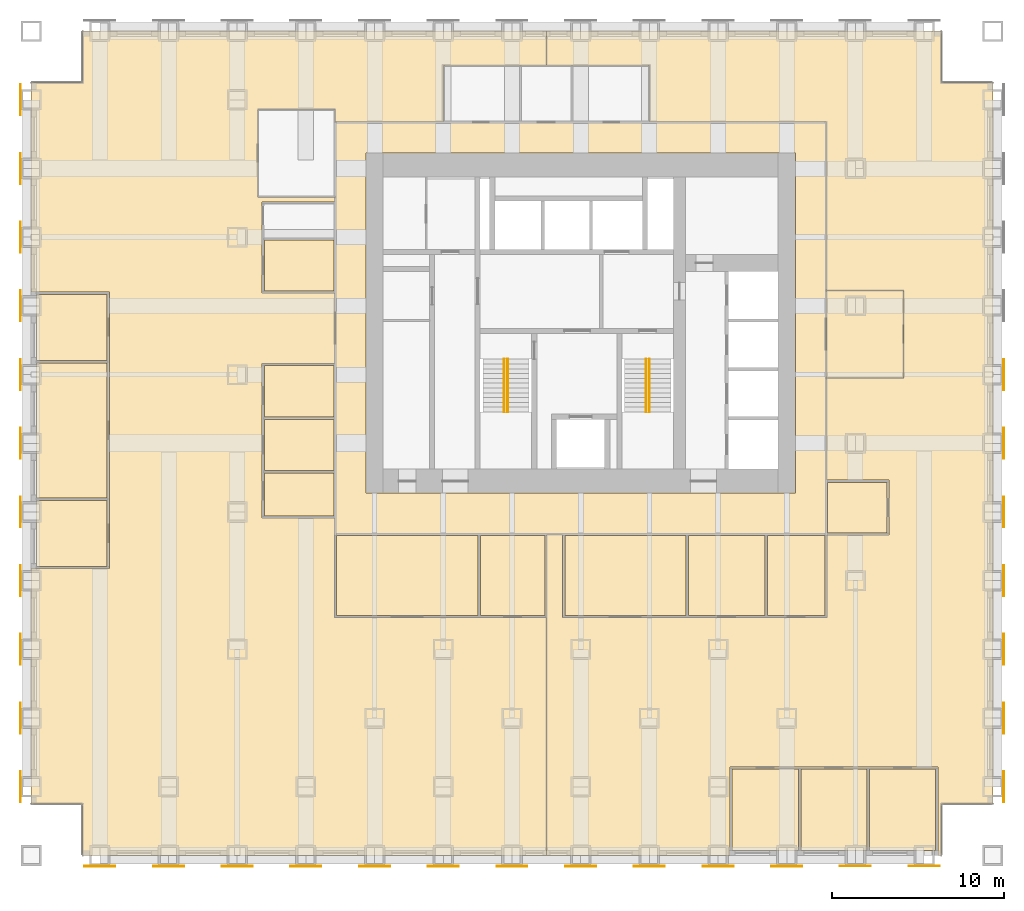
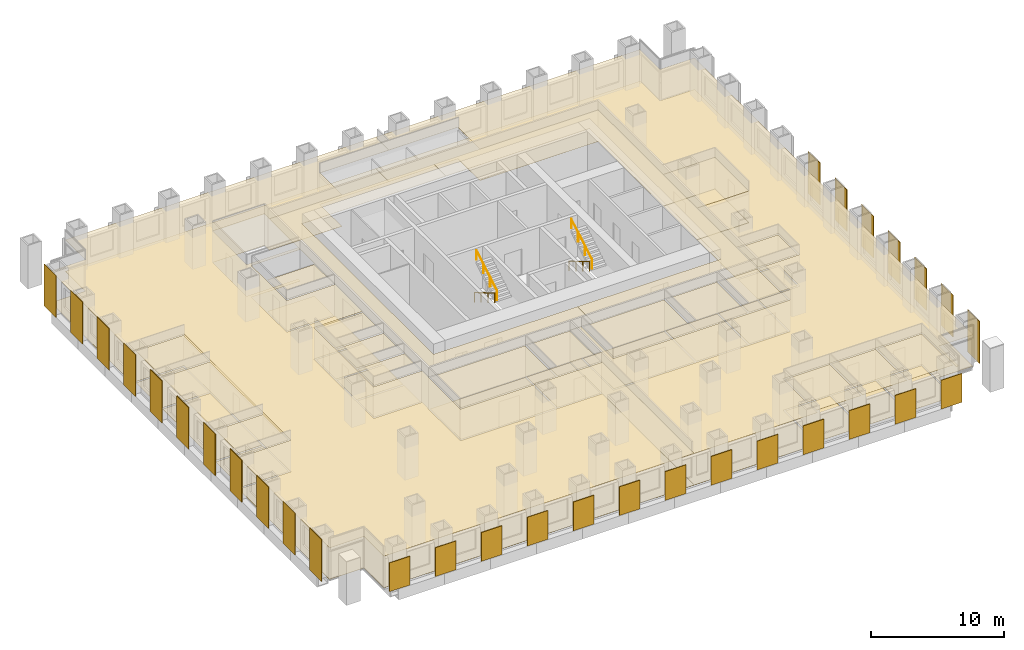
# One storey, part 14 of 15: 40 coverings, 31 shading devices, 4 railings.
"""IFC4 building model written with IfcOpenShell, lengths in metres."""

import ifcopenshell
import ifcopenshell.guid

model = None  # the IFC model being written
_history = None  # IfcOwnerHistory: only IFC2X3 demands one
_inside = {}  # id of a spatial element -> (the spatial element, [elements in it])
_under = {}  # id of a project, library or spatial element -> (it, [spatial elements below it])
_declared = {}  # id of a project -> (the project, [libraries it declares])
_typed = {}  # id of a type object -> (the type object, [elements of that type])
_made_of = {}  # id of a material, layer set ... -> (it, [elements and type objects made of it])


def new_model(schema):
    """Start an empty IFC model of exactly this schema.

    Asked for "IFC4X3", IfcOpenShell would pick the latest addendum, in which some entities
    have other attributes; the version numbers below select the first issue.
    IFC2X3 requires an IfcOwnerHistory on every rooted entity: one is made here for all.
    """
    global model, _history
    if schema == "IFC4X3":
        model = ifcopenshell.file(schema_version=(4, 3, 0, 0))
    else:
        model = ifcopenshell.file(schema=schema)
    _inside.clear()
    _under.clear()
    _declared.clear()
    _typed.clear()
    _made_of.clear()
    _history = None
    if model.schema == "IFC2X3":
        org = make("IfcOrganization", Name="unknown")
        user = make(
            "IfcPersonAndOrganization",
            ThePerson=make("IfcPerson", FamilyName="unknown"),
            TheOrganization=org,
        )
        app = make(
            "IfcApplication",
            ApplicationDeveloper=org,
            Version="unknown",
            ApplicationFullName="unknown",
            ApplicationIdentifier="unknown",
        )
        _history = make(
            "IfcOwnerHistory",
            OwningUser=user,
            OwningApplication=app,
            ChangeAction="ADDED",
            CreationDate=0,
        )
    return model


def make(cls, **values):
    """One entity of the class cls with the attributes given. An attribute that is None is left unset."""
    return model.create_entity(
        cls, **{name: value for name, value in values.items() if value is not None}
    )


def rooted(cls, **values):
    """An entity with a GlobalId (a new one), such as an element, a storey or a relation."""
    return make(cls, GlobalId=ifcopenshell.guid.new(), OwnerHistory=_history, **values)


def si_unit(unit_type, name, prefix=None):
    """IfcSIUnit, for example si_unit("LENGTHUNIT", "METRE", prefix="MILLI")."""
    return make("IfcSIUnit", UnitType=unit_type, Prefix=prefix, Name=name)


def assignment(units):
    """IfcUnitAssignment: the units of a project."""
    return None if units is None else make("IfcUnitAssignment", Units=units)


def point(xyz):
    """IfcCartesianPoint."""
    return None if xyz is None else make("IfcCartesianPoint", Coordinates=xyz)


def direction(xyz):
    """IfcDirection."""
    return None if xyz is None else make("IfcDirection", DirectionRatios=xyz)


def frame(location, z_axis=None, x_axis=None):
    """IfcAxis2Placement3D, a coordinate frame: its origin and axes. An axis left out is left unset."""
    return make(
        "IfcAxis2Placement3D",
        Location=point(location),
        Axis=direction(z_axis),
        RefDirection=direction(x_axis),
    )


def frame_2d(location, x_axis=None):
    """IfcAxis2Placement2D, a coordinate frame in the plane: its origin and x axis."""
    return make(
        "IfcAxis2Placement2D", Location=point(location), RefDirection=direction(x_axis)
    )


def origin():
    """The frame at (0, 0, 0) with its axes left unset."""
    return frame((0.0, 0.0, 0.0))


def origin_2d():
    """The frame at (0, 0) in the plane with its x axis left unset."""
    return frame_2d((0.0, 0.0))


def place(relative_to, where):
    """IfcLocalPlacement: puts the frame where relative to a parent placement (None: the world)."""
    return make(
        "IfcLocalPlacement", PlacementRelTo=relative_to, RelativePlacement=where
    )


def context(
    kind, dimensions, precision=None, world=None, true_north=None, identifier=None
):
    """IfcGeometricRepresentationContext, for example the 3D "Model" context."""
    return make(
        "IfcGeometricRepresentationContext",
        ContextIdentifier=identifier,
        ContextType=kind,
        CoordinateSpaceDimension=dimensions,
        Precision=precision,
        WorldCoordinateSystem=world,
        TrueNorth=true_north,
    )


def subcontext(parent, identifier, kind, view, scale=None):
    """IfcGeometricRepresentationSubContext, for example "Body" below "Model"."""
    return make(
        "IfcGeometricRepresentationSubContext",
        ContextIdentifier=identifier,
        ContextType=kind,
        ParentContext=parent,
        TargetScale=scale,
        TargetView=view,
    )


def project(units=None, contexts=None):
    """IfcProject with its units and contexts."""
    return rooted(
        "IfcProject",
        Name="project",
        RepresentationContexts=contexts,
        UnitsInContext=assignment(units),
    )


def spatial(cls, under=None, at=None, **own):
    """A site, building, storey or space (cls), placed at a placement, below another one or the project."""
    s = rooted(cls, ObjectPlacement=at, **own)
    if under is not None:
        _under.setdefault(under.id(), (under, []))[1].append(s)
    return s


def polyline(points):
    """IfcPolyline through the points."""
    return make("IfcPolyline", Points=[point(p) for p in points])


def profile(cls, at=None, kind="AREA", **sizes):
    """A parametric profile (cls). Its sizes go by their IFC names, for example OverallWidth=200.0."""
    return make(cls, ProfileType=kind, Position=at, **sizes)


def rectangle(**sizes):
    """IfcRectangleProfileDef."""
    return profile("IfcRectangleProfileDef", **sizes)


def circle(**sizes):
    """IfcCircleProfileDef."""
    return profile("IfcCircleProfileDef", **sizes)


def outline(outer, holes=None, kind="AREA"):
    """IfcArbitraryClosedProfileDef: a profile drawn as a closed curve; with holes, ...WithVoids."""
    if holes is None:
        return make("IfcArbitraryClosedProfileDef", ProfileType=kind, OuterCurve=outer)
    return make(
        "IfcArbitraryProfileDefWithVoids",
        ProfileType=kind,
        OuterCurve=outer,
        InnerCurves=holes,
    )


def extrude(swept, where, along, depth):
    """IfcExtrudedAreaSolid: the profile swept, set in the frame where, extruded along a direction by depth."""
    return make(
        "IfcExtrudedAreaSolid",
        SweptArea=swept,
        Position=where,
        ExtrudedDirection=direction(along),
        Depth=depth,
    )


def shape(context_of_items, identifier, shape_type, items):
    """IfcShapeRepresentation: the items that make up one representation, for example the "Body"."""
    return make(
        "IfcShapeRepresentation",
        ContextOfItems=context_of_items,
        RepresentationIdentifier=identifier,
        RepresentationType=shape_type,
        Items=items,
    )


def material(Name=None, Category=None):
    """IfcMaterial."""
    return make("IfcMaterial", Name=Name, Category=Category)


def layer(
    of_material, thickness, ventilated=None, Name=None, Category=None, Priority=None
):
    """IfcMaterialLayer: one layer of a wall or slab, of a material (None: an air gap)."""
    return make(
        "IfcMaterialLayer",
        Material=of_material,
        LayerThickness=thickness,
        IsVentilated=ventilated,
        Name=Name,
        Category=Category,
        Priority=Priority,
    )


def layer_set(layers, Name=None):
    """IfcMaterialLayerSet."""
    return make("IfcMaterialLayerSet", MaterialLayers=layers, LayerSetName=Name)


def made_of(thing, what):
    """Note that an element or type object is made of a material, layer set ...; save() writes the relation."""
    if what is not None:
        _made_of.setdefault(what.id(), (what, []))[1].append(thing)
    return thing


def type_object(cls, material=None, **own):
    """A type object (cls), such as IfcWallType, which elements share."""
    return made_of(rooted(cls, **own), material)


def element(
    cls,
    number,
    at=None,
    inside=None,
    cuts=None,
    type_object=None,
    material=None,
    context=None,
    identifier="Body",
    shape_type=None,
    held_by="IfcProductDefinitionShape",
    body=None,
    shapes=None,
    **own,
):
    """One element of the class cls, such as IfcWall. Its Tag is "e" and its number.

    at: its placement. inside: the storey or other place that contains it. cuts: it is an
    opening in that element (IfcRelVoidsElement). A single representation is given by context,
    identifier, shape_type and body (its items); several are given by shapes. held_by: the class
    of the entity that holds the representations. save() writes the other relations.
    """
    e = rooted(cls, Tag="e%d" % number, ObjectPlacement=at, **own)
    if body is not None:
        shapes = [shape(context, identifier, shape_type, body)]
    if shapes is not None:
        e.Representation = make(held_by, Representations=shapes)
    if inside is not None:
        _inside.setdefault(inside.id(), (inside, []))[1].append(e)
    if cuts is not None:
        rooted(
            "IfcRelVoidsElement", RelatingBuildingElement=cuts, RelatedOpeningElement=e
        )
    if type_object is not None:
        _typed.setdefault(type_object.id(), (type_object, []))[1].append(e)
    return made_of(e, material)


def aggregate(whole, parts):
    """IfcRelAggregates: a whole, such as a stair, and the parts it consists of."""
    return rooted("IfcRelAggregates", RelatingObject=whole, RelatedObjects=parts)


def save(model, path):
    """Write the relations noted so far, then the file.

    IfcRelAggregates (storeys below a building ...), IfcRelContainedInSpatialStructure (elements
    in a storey), IfcRelDefinesByType, IfcRelAssociatesMaterial and IfcRelDeclares: one each for
    every whole, place, type object, material and project.
    """
    for whole, parts in _under.values():
        aggregate(whole, parts)
    for where, things in _inside.values():
        rooted(
            "IfcRelContainedInSpatialStructure",
            RelatedElements=things,
            RelatingStructure=where,
        )
    for kind, things in _typed.values():
        rooted("IfcRelDefinesByType", RelatedObjects=things, RelatingType=kind)
    for what, things in _made_of.values():
        rooted("IfcRelAssociatesMaterial", RelatedObjects=things, RelatingMaterial=what)
    for by, libraries in _declared.values():
        rooted("IfcRelDeclares", RelatingContext=by, RelatedDefinitions=libraries)
    model.write(path)


model = new_model("IFC4")

# Units and contexts
model_context = context("Model", 3, precision=1e-05, world=origin(), true_north=direction((0.0, 1.0)))
body_context = subcontext(model_context, "Body", "Model", "MODEL_VIEW")
ifc_project = project(units=[si_unit("LENGTHUNIT", "METRE"), si_unit("AREAUNIT", "SQUARE_METRE"), si_unit("VOLUMEUNIT", "CUBIC_METRE"), si_unit("PLANEANGLEUNIT", "RADIAN"), si_unit("MASSUNIT", "GRAM", prefix="KILO")], contexts=[model_context])

# Site, building, storey
site_placement = place(None, origin())
site = spatial("IfcSite", under=ifc_project, at=site_placement, CompositionType="ELEMENT")
building_placement = place(site_placement, origin())
building = spatial("IfcBuilding", under=site, at=building_placement, Name="Rimbunsela Tower", CompositionType="ELEMENT")
storey_placement = place(building_placement, frame((0.0, 0.0, 39.0)))
storey = spatial("IfcBuildingStorey", under=building, at=storey_placement, Name="L09", CompositionType="ELEMENT", Elevation=39.0)

# Coverings
ifc_material_1 = material(Name="Nylon carpet tile", Category="textile")
ifc_layer_1 = layer(ifc_material_1, 0.010009765625)
ifc_layer_set_1 = layer_set([ifc_layer_1], Name="Carpet tile 10")
covering_type_1 = type_object("IfcCoveringType", Name="Carpet tile 10", PredefinedType="FLOORING", material=ifc_layer_set_1)
covering_1_placement = place(storey_placement, origin())
element("IfcCovering", 1, at=covering_1_placement, inside=storey, type_object=covering_type_1, Name="Floor finish Open office", PredefinedType="FLOORING", context=body_context, shape_type="SweptSolid", body=[
    extrude(outline(polyline([(15.699951171875, 39.449951171875), (11.199951171875, 39.449951171875), (11.199951171875, 34.35009765625), (15.699951171875, 34.35009765625), (15.699951171875, 34.050048828125), (11.449951171875, 34.050048828125), (11.449951171875, 31.949951171875), (11.449951171875, 31.85009765625), (11.449951171875, 28.75), (15.699951171875, 28.75), (15.699951171875, 24.64990234375), (11.449951171875, 24.64990234375), (11.449951171875, 21.5), (11.449951171875, 21.39990234375), (11.449951171875, 18.39990234375), (11.449951171875, 18.300048828125), (11.449951171875, 15.64990234375), (15.699951171875, 15.64990234375), (15.699951171875, 14.75), (15.64990234375, 14.75), (15.64990234375, 9.85009765625), (15.699951171875, 9.85009765625), (24.050048828125, 9.85009765625), (24.14990234375, 9.85009765625), (27.9990234375, 9.85009765625), (27.9990234375, -4.0), (15.699951171875, -4.0), (1.0, -4.0), (1.0, -1.0), (-2.0, -1.0), (-2.0, 12.699951171875), (2.550048828125, 12.699951171875), (2.550048828125, 16.699951171875), (2.550048828125, 16.800048828125), (2.550048828125, 24.699951171875), (2.550048828125, 24.800048828125), (2.550048828125, 28.800048828125), (-2.0, 28.800048828125), (-2.0, 41.0), (1.0, 41.0), (1.0, 44.0), (15.699951171875, 44.0), (27.9990234375, 44.0), (27.9990234375, 42.0), (22.0, 42.0), (22.0, 38.699951171875), (15.699951171875, 38.699951171875), (15.699951171875, 39.449951171875)])), origin(), (0.0, 0.0, 1.0), 0.010009765625),
])
covering_2_placement = place(storey_placement, origin())
element("IfcCovering", 2, at=covering_2_placement, inside=storey, type_object=covering_type_1, Name="Floor finish Open office", PredefinedType="FLOORING", context=body_context, shape_type="SweptSolid", body=[
    extrude(outline(polyline([(42.699951171875, 1.14990234375), (38.699951171875, 1.14990234375), (38.699951171875, -4.0), (28.0009765625, -4.0), (28.0009765625, 14.699951171875), (28.948974609375, 14.699951171875), (28.948974609375, 9.85009765625), (36.14892578125, 9.85009765625), (36.2490234375, 9.85009765625), (40.7490234375, 9.85009765625), (40.84912109375, 9.85009765625), (44.300048828125, 9.85009765625), (44.35009765625, 9.85009765625), (44.35009765625, 14.64990234375), (47.949951171875, 14.64990234375), (47.949951171875, 17.85009765625), (44.300048828125, 17.85009765625), (44.300048828125, 23.800048828125), (48.800048828125, 23.800048828125), (48.800048828125, 28.89990234375), (44.300048828125, 28.89990234375), (44.300048828125, 38.699951171875), (34.0, 38.699951171875), (34.0, 42.0), (28.0009765625, 42.0), (28.0009765625, 44.0), (44.300048828125, 44.0), (51.0, 44.0), (51.0, 41.0), (54.0, 41.0), (54.0, -1.0), (51.0, -1.0), (51.0, -4.0), (50.800048828125, -4.0), (50.800048828125, 1.14990234375), (46.800048828125, 1.14990234375), (46.699951171875, 1.14990234375), (44.300048828125, 1.14990234375), (42.800048828125, 1.14990234375), (42.699951171875, 1.14990234375)])), origin(), (0.0, 0.0, 1.0), 0.010009765625),
])
covering_3_placement = place(storey_placement, origin())
element("IfcCovering", 3, at=covering_3_placement, inside=storey, type_object=covering_type_1, Name="Floor finish Reception", PredefinedType="FLOORING", context=body_context, shape_type="SweptSolid", body=[
    extrude(outline(polyline([(48.800048828125, 23.800048828125), (48.800048828125, 28.89990234375), (44.300048828125, 28.89990234375), (44.300048828125, 23.800048828125), (48.800048828125, 23.800048828125)])), origin(), (0.0, 0.0, 1.0), 0.010009765625),
])
covering_4_placement = place(storey_placement, origin())
element("IfcCovering", 4, at=covering_4_placement, inside=storey, type_object=covering_type_1, Name="Floor finish Executive office", PredefinedType="FLOORING", context=body_context, shape_type="SweptSolid", body=[
    extrude(outline(polyline([(2.425048828125, 12.824951171875), (2.425048828125, 16.675048828125), (-1.699951171875, 16.675048828125), (-1.699951171875, 12.824951171875), (2.425048828125, 12.824951171875)])), origin(), (0.0, 0.0, 1.0), 0.010009765625),
])
covering_5_placement = place(storey_placement, origin())
element("IfcCovering", 5, at=covering_5_placement, inside=storey, type_object=covering_type_1, Name="Floor finish Executive office", PredefinedType="FLOORING", context=body_context, shape_type="SweptSolid", body=[
    extrude(outline(polyline([(2.425048828125, 16.824951171875), (2.425048828125, 24.675048828125), (-1.699951171875, 24.675048828125), (-1.699951171875, 16.824951171875), (2.425048828125, 16.824951171875)])), origin(), (0.0, 0.0, 1.0), 0.010009765625),
])
covering_6_placement = place(storey_placement, origin())
element("IfcCovering", 6, at=covering_6_placement, inside=storey, type_object=covering_type_1, Name="Floor finish Executive office", PredefinedType="FLOORING", context=body_context, shape_type="SweptSolid", body=[
    extrude(outline(polyline([(2.425048828125, 24.824951171875), (2.425048828125, 28.675048828125), (-1.699951171875, 28.675048828125), (-1.699951171875, 24.824951171875), (2.425048828125, 24.824951171875)])), origin(), (0.0, 0.0, 1.0), 0.010009765625),
])
covering_7_placement = place(storey_placement, origin())
element("IfcCovering", 7, at=covering_7_placement, inside=storey, type_object=covering_type_1, Name="Floor finish Meeting room", PredefinedType="FLOORING", context=body_context, shape_type="SweptSolid", body=[
    extrude(outline(polyline([(42.675048828125, -3.699951171875), (42.675048828125, 1.02490234375), (38.824951171875, 1.02490234375), (38.824951171875, -3.699951171875), (42.675048828125, -3.699951171875)])), origin(), (0.0, 0.0, 1.0), 0.010009765625),
])
covering_8_placement = place(storey_placement, origin())
element("IfcCovering", 8, at=covering_8_placement, inside=storey, type_object=covering_type_1, Name="Floor finish Meeting room", PredefinedType="FLOORING", context=body_context, shape_type="SweptSolid", body=[
    extrude(outline(polyline([(46.675048828125, -3.699951171875), (46.675048828125, 1.02490234375), (42.824951171875, 1.02490234375), (42.824951171875, -3.699951171875), (46.675048828125, -3.699951171875)])), origin(), (0.0, 0.0, 1.0), 0.010009765625),
])
covering_9_placement = place(storey_placement, origin())
element("IfcCovering", 9, at=covering_9_placement, inside=storey, type_object=covering_type_1, Name="Floor finish Meeting room", PredefinedType="FLOORING", context=body_context, shape_type="SweptSolid", body=[
    extrude(outline(polyline([(50.675048828125, -3.699951171875), (50.675048828125, 1.02490234375), (46.824951171875, 1.02490234375), (46.824951171875, -3.699951171875), (50.675048828125, -3.699951171875)])), origin(), (0.0, 0.0, 1.0), 0.010009765625),
])
covering_10_placement = place(storey_placement, origin())
element("IfcCovering", 10, at=covering_10_placement, inside=storey, type_object=covering_type_1, Name="Floor finish Training room", PredefinedType="FLOORING", context=body_context, shape_type="SweptSolid", body=[
    extrude(outline(polyline([(24.02490234375, 9.97509765625), (24.02490234375, 14.625), (15.77490234375, 14.625), (15.77490234375, 9.97509765625), (24.02490234375, 9.97509765625)])), origin(), (0.0, 0.0, 1.0), 0.010009765625),
])
covering_11_placement = place(storey_placement, origin())
element("IfcCovering", 11, at=covering_11_placement, inside=storey, type_object=covering_type_1, Name="Floor finish Pantry", PredefinedType="FLOORING", context=body_context, shape_type="SweptSolid", body=[
    extrude(outline(polyline([(27.924072265625, 9.97509765625), (27.924072265625, 14.625), (24.175048828125, 14.625), (24.175048828125, 9.97509765625), (27.924072265625, 9.97509765625)])), origin(), (0.0, 0.0, 1.0), 0.010009765625),
])
covering_12_placement = place(storey_placement, origin())
element("IfcCovering", 12, at=covering_12_placement, inside=storey, type_object=covering_type_1, Name="Floor finish Print and copy room", PredefinedType="FLOORING", context=body_context, shape_type="SweptSolid", body=[
    extrude(outline(polyline([(15.625, 15.77490234375), (15.625, 18.27490234375), (11.574951171875, 18.27490234375), (11.574951171875, 15.77490234375), (15.625, 15.77490234375)])), origin(), (0.0, 0.0, 1.0), 0.010009765625),
])
covering_13_placement = place(storey_placement, origin())
element("IfcCovering", 13, at=covering_13_placement, inside=storey, type_object=covering_type_1, Name="Floor finish Office", PredefinedType="FLOORING", context=body_context, shape_type="SweptSolid", body=[
    extrude(outline(polyline([(15.625, 18.425048828125), (15.625, 21.375), (11.574951171875, 21.375), (11.574951171875, 18.425048828125), (15.625, 18.425048828125)])), origin(), (0.0, 0.0, 1.0), 0.010009765625),
])
covering_14_placement = place(storey_placement, origin())
element("IfcCovering", 14, at=covering_14_placement, inside=storey, type_object=covering_type_1, Name="Floor finish Office", PredefinedType="FLOORING", context=body_context, shape_type="SweptSolid", body=[
    extrude(outline(polyline([(15.625, 21.52490234375), (15.625, 24.52490234375), (11.574951171875, 24.52490234375), (11.574951171875, 21.52490234375), (15.625, 21.52490234375)])), origin(), (0.0, 0.0, 1.0), 0.010009765625),
])
covering_15_placement = place(storey_placement, origin())
element("IfcCovering", 15, at=covering_15_placement, inside=storey, type_object=covering_type_1, Name="Floor finish Office", PredefinedType="FLOORING", context=body_context, shape_type="SweptSolid", body=[
    extrude(outline(polyline([(15.625, 28.875), (15.625, 31.824951171875), (11.574951171875, 31.824951171875), (11.574951171875, 28.875), (15.625, 28.875)])), origin(), (0.0, 0.0, 1.0), 0.010009765625),
])
covering_16_placement = place(storey_placement, origin())
element("IfcCovering", 16, at=covering_16_placement, inside=storey, type_object=covering_type_1, Name="Floor finish Boardroom", PredefinedType="FLOORING", context=body_context, shape_type="SweptSolid", body=[
    extrude(outline(polyline([(36.1240234375, 9.97509765625), (36.1240234375, 14.625), (29.073974609375, 14.625), (29.073974609375, 9.97509765625), (36.1240234375, 9.97509765625)])), origin(), (0.0, 0.0, 1.0), 0.010009765625),
])
covering_17_placement = place(storey_placement, origin())
element("IfcCovering", 17, at=covering_17_placement, inside=storey, type_object=covering_type_1, Name="Floor finish Pantry", PredefinedType="FLOORING", context=body_context, shape_type="SweptSolid", body=[
    extrude(outline(polyline([(40.72412109375, 9.97509765625), (40.72412109375, 14.625), (36.27392578125, 14.625), (36.27392578125, 9.97509765625), (40.72412109375, 9.97509765625)])), origin(), (0.0, 0.0, 1.0), 0.010009765625),
])
covering_18_placement = place(storey_placement, origin())
element("IfcCovering", 18, at=covering_18_placement, inside=storey, type_object=covering_type_1, Name="Floor finish Print and copy room", PredefinedType="FLOORING", context=body_context, shape_type="SweptSolid", body=[
    extrude(outline(polyline([(44.22509765625, 9.97509765625), (44.22509765625, 14.625), (40.8740234375, 14.625), (40.8740234375, 9.97509765625), (44.22509765625, 9.97509765625)])), origin(), (0.0, 0.0, 1.0), 0.010009765625),
])
covering_19_placement = place(storey_placement, origin())
element("IfcCovering", 19, at=covering_19_placement, inside=storey, type_object=covering_type_1, Name="Floor finish Office", PredefinedType="FLOORING", context=body_context, shape_type="SweptSolid", body=[
    extrude(outline(polyline([(47.824951171875, 14.77490234375), (47.824951171875, 17.72509765625), (44.375, 17.72509765625), (44.375, 14.77490234375), (47.824951171875, 14.77490234375)])), origin(), (0.0, 0.0, 1.0), 0.010009765625),
])
ifc_material_2 = material(Name="Mineral fibre ceiling tile", Category="gypsum")
ifc_layer_2 = layer(ifc_material_2, 0.02001953125)
ifc_layer_set_2 = layer_set([ifc_layer_2], Name="Ceiling 600 grid")
covering_type_2 = type_object("IfcCoveringType", Name="Ceiling 600 grid", PredefinedType="CEILING", material=ifc_layer_set_2)
covering_20_placement = place(storey_placement, frame((0.0, 0.0, 2.89990234375)))
element("IfcCovering", 20, at=covering_20_placement, inside=storey, type_object=covering_type_2, Name="Ceiling Ring corridor", PredefinedType="CEILING", context=body_context, shape_type="SweptSolid", body=[
    extrude(outline(polyline([(15.699951171875, 38.699951171875), (30.0, 38.699951171875), (30.0, 36.89990234375), (17.5, 36.89990234375), (17.5, 17.10009765625), (30.0, 17.10009765625), (30.0, 14.699951171875), (15.699951171875, 14.699951171875), (15.699951171875, 38.699951171875)])), origin(), (0.0, 0.0, 1.0), 0.02001953125),
])
covering_21_placement = place(storey_placement, frame((0.0, 0.0, 2.89990234375)))
element("IfcCovering", 21, at=covering_21_placement, inside=storey, type_object=covering_type_2, Name="Ceiling Ring corridor", PredefinedType="CEILING", context=body_context, shape_type="SweptSolid", body=[
    extrude(outline(polyline([(44.300048828125, 38.699951171875), (44.300048828125, 14.699951171875), (30.0, 14.699951171875), (30.0, 17.10009765625), (42.5, 17.10009765625), (42.5, 36.89990234375), (30.0, 36.89990234375), (30.0, 38.699951171875), (44.300048828125, 38.699951171875)])), origin(), (0.0, 0.0, 1.0), 0.02001953125),
])
covering_22_placement = place(storey_placement, frame((0.0, 0.0, 2.89990234375)))
element("IfcCovering", 22, at=covering_22_placement, inside=storey, type_object=covering_type_2, Name="Ceiling Open office", PredefinedType="CEILING", context=body_context, shape_type="SweptSolid", body=[
    extrude(outline(polyline([(15.699951171875, 39.449951171875), (11.199951171875, 39.449951171875), (11.199951171875, 34.35009765625), (15.699951171875, 34.35009765625), (15.699951171875, 34.050048828125), (11.449951171875, 34.050048828125), (11.449951171875, 31.949951171875), (11.449951171875, 31.85009765625), (11.449951171875, 28.75), (15.699951171875, 28.75), (15.699951171875, 24.64990234375), (11.449951171875, 24.64990234375), (11.449951171875, 21.5), (11.449951171875, 21.39990234375), (11.449951171875, 18.39990234375), (11.449951171875, 18.300048828125), (11.449951171875, 15.64990234375), (15.699951171875, 15.64990234375), (15.699951171875, 14.75), (15.64990234375, 14.75), (15.64990234375, 9.85009765625), (15.699951171875, 9.85009765625), (24.050048828125, 9.85009765625), (24.14990234375, 9.85009765625), (27.9990234375, 9.85009765625), (27.9990234375, -4.0), (15.699951171875, -4.0), (1.0, -4.0), (1.0, -1.0), (-2.0, -1.0), (-2.0, 12.699951171875), (2.550048828125, 12.699951171875), (2.550048828125, 16.699951171875), (2.550048828125, 16.800048828125), (2.550048828125, 24.699951171875), (2.550048828125, 24.800048828125), (2.550048828125, 28.800048828125), (-2.0, 28.800048828125), (-2.0, 41.0), (1.0, 41.0), (1.0, 44.0), (15.699951171875, 44.0), (27.9990234375, 44.0), (27.9990234375, 42.0), (22.0, 42.0), (22.0, 38.699951171875), (15.699951171875, 38.699951171875), (15.699951171875, 39.449951171875)])), origin(), (0.0, 0.0, 1.0), 0.02001953125),
])
covering_23_placement = place(storey_placement, frame((0.0, 0.0, 2.89990234375)))
element("IfcCovering", 23, at=covering_23_placement, inside=storey, type_object=covering_type_2, Name="Ceiling Open office", PredefinedType="CEILING", context=body_context, shape_type="SweptSolid", body=[
    extrude(outline(polyline([(42.699951171875, 1.14990234375), (38.699951171875, 1.14990234375), (38.699951171875, -4.0), (28.0009765625, -4.0), (28.0009765625, 14.699951171875), (28.948974609375, 14.699951171875), (28.948974609375, 9.85009765625), (36.14892578125, 9.85009765625), (36.2490234375, 9.85009765625), (40.7490234375, 9.85009765625), (40.84912109375, 9.85009765625), (44.300048828125, 9.85009765625), (44.35009765625, 9.85009765625), (44.35009765625, 14.64990234375), (47.949951171875, 14.64990234375), (47.949951171875, 17.85009765625), (44.300048828125, 17.85009765625), (44.300048828125, 23.800048828125), (48.800048828125, 23.800048828125), (48.800048828125, 28.89990234375), (44.300048828125, 28.89990234375), (44.300048828125, 38.699951171875), (34.0, 38.699951171875), (34.0, 42.0), (28.0009765625, 42.0), (28.0009765625, 44.0), (44.300048828125, 44.0), (51.0, 44.0), (51.0, 41.0), (54.0, 41.0), (54.0, -1.0), (51.0, -1.0), (51.0, -4.0), (50.800048828125, -4.0), (50.800048828125, 1.14990234375), (46.800048828125, 1.14990234375), (46.699951171875, 1.14990234375), (44.300048828125, 1.14990234375), (42.800048828125, 1.14990234375), (42.699951171875, 1.14990234375)])), origin(), (0.0, 0.0, 1.0), 0.02001953125),
])
covering_24_placement = place(storey_placement, frame((0.0, 0.0, 2.89990234375)))
element("IfcCovering", 24, at=covering_24_placement, inside=storey, type_object=covering_type_2, Name="Ceiling Reception", PredefinedType="CEILING", context=body_context, shape_type="SweptSolid", body=[
    extrude(outline(polyline([(48.800048828125, 23.800048828125), (48.800048828125, 28.89990234375), (44.300048828125, 28.89990234375), (44.300048828125, 23.800048828125), (48.800048828125, 23.800048828125)])), origin(), (0.0, 0.0, 1.0), 0.02001953125),
])
covering_25_placement = place(storey_placement, frame((0.0, 0.0, 2.89990234375)))
element("IfcCovering", 25, at=covering_25_placement, inside=storey, type_object=covering_type_2, Name="Ceiling Executive office", PredefinedType="CEILING", context=body_context, shape_type="SweptSolid", body=[
    extrude(outline(polyline([(2.425048828125, 12.824951171875), (2.425048828125, 16.675048828125), (-1.699951171875, 16.675048828125), (-1.699951171875, 12.824951171875), (2.425048828125, 12.824951171875)])), origin(), (0.0, 0.0, 1.0), 0.02001953125),
])
covering_26_placement = place(storey_placement, frame((0.0, 0.0, 2.89990234375)))
element("IfcCovering", 26, at=covering_26_placement, inside=storey, type_object=covering_type_2, Name="Ceiling Executive office", PredefinedType="CEILING", context=body_context, shape_type="SweptSolid", body=[
    extrude(outline(polyline([(2.425048828125, 16.824951171875), (2.425048828125, 24.675048828125), (-1.699951171875, 24.675048828125), (-1.699951171875, 16.824951171875), (2.425048828125, 16.824951171875)])), origin(), (0.0, 0.0, 1.0), 0.02001953125),
])
covering_27_placement = place(storey_placement, frame((0.0, 0.0, 2.89990234375)))
element("IfcCovering", 27, at=covering_27_placement, inside=storey, type_object=covering_type_2, Name="Ceiling Executive office", PredefinedType="CEILING", context=body_context, shape_type="SweptSolid", body=[
    extrude(outline(polyline([(2.425048828125, 24.824951171875), (2.425048828125, 28.675048828125), (-1.699951171875, 28.675048828125), (-1.699951171875, 24.824951171875), (2.425048828125, 24.824951171875)])), origin(), (0.0, 0.0, 1.0), 0.02001953125),
])
covering_28_placement = place(storey_placement, frame((0.0, 0.0, 2.89990234375)))
element("IfcCovering", 28, at=covering_28_placement, inside=storey, type_object=covering_type_2, Name="Ceiling Meeting room", PredefinedType="CEILING", context=body_context, shape_type="SweptSolid", body=[
    extrude(outline(polyline([(42.675048828125, -3.699951171875), (42.675048828125, 1.02490234375), (38.824951171875, 1.02490234375), (38.824951171875, -3.699951171875), (42.675048828125, -3.699951171875)])), origin(), (0.0, 0.0, 1.0), 0.02001953125),
])
covering_29_placement = place(storey_placement, frame((0.0, 0.0, 2.89990234375)))
element("IfcCovering", 29, at=covering_29_placement, inside=storey, type_object=covering_type_2, Name="Ceiling Meeting room", PredefinedType="CEILING", context=body_context, shape_type="SweptSolid", body=[
    extrude(outline(polyline([(46.675048828125, -3.699951171875), (46.675048828125, 1.02490234375), (42.824951171875, 1.02490234375), (42.824951171875, -3.699951171875), (46.675048828125, -3.699951171875)])), origin(), (0.0, 0.0, 1.0), 0.02001953125),
])
covering_30_placement = place(storey_placement, frame((0.0, 0.0, 2.89990234375)))
element("IfcCovering", 30, at=covering_30_placement, inside=storey, type_object=covering_type_2, Name="Ceiling Meeting room", PredefinedType="CEILING", context=body_context, shape_type="SweptSolid", body=[
    extrude(outline(polyline([(50.675048828125, -3.699951171875), (50.675048828125, 1.02490234375), (46.824951171875, 1.02490234375), (46.824951171875, -3.699951171875), (50.675048828125, -3.699951171875)])), origin(), (0.0, 0.0, 1.0), 0.02001953125),
])
covering_31_placement = place(storey_placement, frame((0.0, 0.0, 2.89990234375)))
element("IfcCovering", 31, at=covering_31_placement, inside=storey, type_object=covering_type_2, Name="Ceiling Training room", PredefinedType="CEILING", context=body_context, shape_type="SweptSolid", body=[
    extrude(outline(polyline([(24.02490234375, 9.97509765625), (24.02490234375, 14.625), (15.77490234375, 14.625), (15.77490234375, 9.97509765625), (24.02490234375, 9.97509765625)])), origin(), (0.0, 0.0, 1.0), 0.02001953125),
])
covering_32_placement = place(storey_placement, frame((0.0, 0.0, 2.89990234375)))
element("IfcCovering", 32, at=covering_32_placement, inside=storey, type_object=covering_type_2, Name="Ceiling Pantry", PredefinedType="CEILING", context=body_context, shape_type="SweptSolid", body=[
    extrude(outline(polyline([(27.924072265625, 9.97509765625), (27.924072265625, 14.625), (24.175048828125, 14.625), (24.175048828125, 9.97509765625), (27.924072265625, 9.97509765625)])), origin(), (0.0, 0.0, 1.0), 0.02001953125),
])
covering_33_placement = place(storey_placement, frame((0.0, 0.0, 2.89990234375)))
element("IfcCovering", 33, at=covering_33_placement, inside=storey, type_object=covering_type_2, Name="Ceiling Print and copy room", PredefinedType="CEILING", context=body_context, shape_type="SweptSolid", body=[
    extrude(outline(polyline([(15.625, 15.77490234375), (15.625, 18.27490234375), (11.574951171875, 18.27490234375), (11.574951171875, 15.77490234375), (15.625, 15.77490234375)])), origin(), (0.0, 0.0, 1.0), 0.02001953125),
])
covering_34_placement = place(storey_placement, frame((0.0, 0.0, 2.89990234375)))
element("IfcCovering", 34, at=covering_34_placement, inside=storey, type_object=covering_type_2, Name="Ceiling Office", PredefinedType="CEILING", context=body_context, shape_type="SweptSolid", body=[
    extrude(outline(polyline([(15.625, 18.425048828125), (15.625, 21.375), (11.574951171875, 21.375), (11.574951171875, 18.425048828125), (15.625, 18.425048828125)])), origin(), (0.0, 0.0, 1.0), 0.02001953125),
])
covering_35_placement = place(storey_placement, frame((0.0, 0.0, 2.89990234375)))
element("IfcCovering", 35, at=covering_35_placement, inside=storey, type_object=covering_type_2, Name="Ceiling Office", PredefinedType="CEILING", context=body_context, shape_type="SweptSolid", body=[
    extrude(outline(polyline([(15.625, 21.52490234375), (15.625, 24.52490234375), (11.574951171875, 24.52490234375), (11.574951171875, 21.52490234375), (15.625, 21.52490234375)])), origin(), (0.0, 0.0, 1.0), 0.02001953125),
])
covering_36_placement = place(storey_placement, frame((0.0, 0.0, 2.89990234375)))
element("IfcCovering", 36, at=covering_36_placement, inside=storey, type_object=covering_type_2, Name="Ceiling Office", PredefinedType="CEILING", context=body_context, shape_type="SweptSolid", body=[
    extrude(outline(polyline([(15.625, 28.875), (15.625, 31.824951171875), (11.574951171875, 31.824951171875), (11.574951171875, 28.875), (15.625, 28.875)])), origin(), (0.0, 0.0, 1.0), 0.02001953125),
])
covering_37_placement = place(storey_placement, frame((0.0, 0.0, 2.89990234375)))
element("IfcCovering", 37, at=covering_37_placement, inside=storey, type_object=covering_type_2, Name="Ceiling Boardroom", PredefinedType="CEILING", context=body_context, shape_type="SweptSolid", body=[
    extrude(outline(polyline([(36.1240234375, 9.97509765625), (36.1240234375, 14.625), (29.073974609375, 14.625), (29.073974609375, 9.97509765625), (36.1240234375, 9.97509765625)])), origin(), (0.0, 0.0, 1.0), 0.02001953125),
])
covering_38_placement = place(storey_placement, frame((0.0, 0.0, 2.89990234375)))
element("IfcCovering", 38, at=covering_38_placement, inside=storey, type_object=covering_type_2, Name="Ceiling Pantry", PredefinedType="CEILING", context=body_context, shape_type="SweptSolid", body=[
    extrude(outline(polyline([(40.72412109375, 9.97509765625), (40.72412109375, 14.625), (36.27392578125, 14.625), (36.27392578125, 9.97509765625), (40.72412109375, 9.97509765625)])), origin(), (0.0, 0.0, 1.0), 0.02001953125),
])
covering_39_placement = place(storey_placement, frame((0.0, 0.0, 2.89990234375)))
element("IfcCovering", 39, at=covering_39_placement, inside=storey, type_object=covering_type_2, Name="Ceiling Print and copy room", PredefinedType="CEILING", context=body_context, shape_type="SweptSolid", body=[
    extrude(outline(polyline([(44.22509765625, 9.97509765625), (44.22509765625, 14.625), (40.8740234375, 14.625), (40.8740234375, 9.97509765625), (44.22509765625, 9.97509765625)])), origin(), (0.0, 0.0, 1.0), 0.02001953125),
])
covering_40_placement = place(storey_placement, frame((0.0, 0.0, 2.89990234375)))
element("IfcCovering", 40, at=covering_40_placement, inside=storey, type_object=covering_type_2, Name="Ceiling Office", PredefinedType="CEILING", context=body_context, shape_type="SweptSolid", body=[
    extrude(outline(polyline([(47.824951171875, 14.77490234375), (47.824951171875, 17.72509765625), (44.375, 17.72509765625), (44.375, 14.77490234375), (47.824951171875, 14.77490234375)])), origin(), (0.0, 0.0, 1.0), 0.02001953125),
])

# Shading devices
ifc_material_3 = material(Name="Perforated aluminium, 35 % open area", Category="aluminium")
ifc_layer_3 = layer(ifc_material_3, 0.050048828125)
ifc_layer_set_3 = layer_set([ifc_layer_3], Name="Solar screen panel 1800")
shading_device_type = type_object("IfcShadingDeviceType", Name="Solar screen panel 1800", PredefinedType="USERDEFINED", material=ifc_layer_set_3)
for number, where, z_axis, x_axis, name in (
    (41, (2.0, -4.625, 0.0), (0.0, 0.0, 1.0), (1.0, 0.0, 0.0), "Solar screen S L09"),
    (42, (6.0, -4.625, 0.0), (0.0, 0.0, 1.0), (1.0, 0.0, 0.0), "Solar screen S L09"),
    (43, (10.0, -4.625, 0.0), (0.0, 0.0, 1.0), (1.0, 0.0, 0.0), "Solar screen S L09"),
    (44, (14.0, -4.625, 0.0), (0.0, 0.0, 1.0), (1.0, 0.0, 0.0), "Solar screen S L09"),
    (45, (18.0, -4.625, 0.0), (0.0, 0.0, 1.0), (1.0, 0.0, 0.0), "Solar screen S L09"),
    (46, (22.0, -4.625, 0.0), (0.0, 0.0, 1.0), (1.0, 0.0, 0.0), "Solar screen S L09"),
    (47, (26.0, -4.625, 0.0), (0.0, 0.0, 1.0), (1.0, 0.0, 0.0), "Solar screen S L09"),
    (48, (30.0, -4.625, 0.0), (0.0, 0.0, 1.0), (1.0, 0.0, 0.0), "Solar screen S L09"),
    (49, (34.0, -4.625, 0.0), (0.0, 0.0, 1.0), (1.0, 0.0, 0.0), "Solar screen S L09"),
    (50, (38.0, -4.625, 0.0), (0.0, 0.0, 1.0), (1.0, 0.0, 0.0), "Solar screen S L09"),
    (51, (42.0, -4.625, 0.0), (0.0, 0.0, 1.0), (1.0, 0.0, 0.0), "Solar screen S L09"),
    (52, (46.0, -4.625, 0.0), (0.0, 0.0, 1.0), (1.0, 0.0, 0.0), "Solar screen S L09"),
    (53, (50.0, -4.625, 0.0), (0.0, 0.0, 1.0), (1.0, 0.0, 0.0), "Solar screen S L09"),
):
    element("IfcShadingDevice", number, at=place(storey_placement, frame(where, z_axis=z_axis, x_axis=x_axis)), inside=storey, type_object=shading_device_type, Name=name, ObjectType="SCREEN", PredefinedType="USERDEFINED", context=body_context, shape_type="SweptSolid", body=[
        extrude(rectangle(XDim=1.800048828125, YDim=0.050048828125, at=origin_2d()), origin(), (0.0, 0.0, 1.0), 2.64990234375),
    ])
for number, where, z_axis, x_axis, name in (
    (54, (54.625, 0.0, 0.0), (0.0, 0.0, 1.0), (0.0, 1.0, 0.0), "Solar screen E L09"),
    (55, (54.625, 4.0, 0.0), (0.0, 0.0, 1.0), (0.0, 1.0, 0.0), "Solar screen E L09"),
    (56, (54.625, 8.0, 0.0), (0.0, 0.0, 1.0), (0.0, 1.0, 0.0), "Solar screen E L09"),
    (57, (54.625, 12.0, 0.0), (0.0, 0.0, 1.0), (0.0, 1.0, 0.0), "Solar screen E L09"),
    (58, (54.625, 16.0, 0.0), (0.0, 0.0, 1.0), (0.0, 1.0, 0.0), "Solar screen E L09"),
    (59, (54.625, 20.0, 0.0), (0.0, 0.0, 1.0), (0.0, 1.0, 0.0), "Solar screen E L09"),
    (60, (54.625, 24.0, 0.0), (0.0, 0.0, 1.0), (0.0, 1.0, 0.0), "Solar screen E L09"),
    (61, (-2.625, 0.0, 0.0), (0.0, 0.0, 1.0), (0.0, 1.0, 0.0), "Solar screen W L09"),
    (62, (-2.625, 4.0, 0.0), (0.0, 0.0, 1.0), (0.0, 1.0, 0.0), "Solar screen W L09"),
    (63, (-2.625, 8.0, 0.0), (0.0, 0.0, 1.0), (0.0, 1.0, 0.0), "Solar screen W L09"),
    (64, (-2.625, 12.0, 0.0), (0.0, 0.0, 1.0), (0.0, 1.0, 0.0), "Solar screen W L09"),
    (65, (-2.625, 16.0, 0.0), (0.0, 0.0, 1.0), (0.0, 1.0, 0.0), "Solar screen W L09"),
    (66, (-2.625, 20.0, 0.0), (0.0, 0.0, 1.0), (0.0, 1.0, 0.0), "Solar screen W L09"),
    (67, (-2.625, 24.0, 0.0), (0.0, 0.0, 1.0), (0.0, 1.0, 0.0), "Solar screen W L09"),
    (68, (-2.625, 28.0, 0.0), (0.0, 0.0, 1.0), (0.0, 1.0, 0.0), "Solar screen W L09"),
    (69, (-2.625, 32.0, 0.0), (0.0, 0.0, 1.0), (0.0, 1.0, 0.0), "Solar screen W L09"),
    (70, (-2.625, 36.0, 0.0), (0.0, 0.0, 1.0), (0.0, 1.0, 0.0), "Solar screen W L09"),
    (71, (-2.625, 40.0, 0.0), (0.0, 0.0, 1.0), (0.0, 1.0, 0.0), "Solar screen W L09"),
):
    element("IfcShadingDevice", number, at=place(storey_placement, frame(where, z_axis=z_axis, x_axis=x_axis)), inside=storey, type_object=shading_device_type, Name=name, ObjectType="SCREEN", PredefinedType="USERDEFINED", context=body_context, shape_type="SweptSolid", body=[
        extrude(rectangle(XDim=1.800048828125, YDim=0.050048828125, at=origin_2d()), origin(), (0.0, 0.0, 1.0), 3.85009765625),
    ])

# Railings
ifc_material_4 = material(Name="Stainless steel tube", Category="steel")
railing_type = type_object("IfcRailingType", Name="Stair handrail 900", PredefinedType="HANDRAIL", material=ifc_material_4)
railing_1_placement = place(storey_placement, frame((25.550048828125, 24.89990234375, 0.166748046875)))
element("IfcRailing", 72, at=railing_1_placement, inside=storey, type_object=railing_type, Name="Handrail ST-A flight 1", PredefinedType="HANDRAIL", context=body_context, shape_type="SweptSolid", body=[
    extrude(circle(Radius=0.02392578125, at=origin_2d()), frame((0.0, 0.0, 0.8759765625), z_axis=(0.0, -0.859290745958, 0.51148745235), x_axis=(1.0, 0.0, 0.0)), (0.0, 0.0, 1.0), 3.584228515625),
    extrude(circle(Radius=0.02099609375, at=origin_2d()), origin(), (0.0, 0.0, 1.0), 0.851806640625),
    extrude(circle(Radius=0.02099609375, at=origin_2d()), frame((0.0, -1.026611328125, 0.611083984375)), (0.0, 0.0, 1.0), 0.851806640625),
    extrude(circle(Radius=0.02099609375, at=origin_2d()), frame((0.0, -2.05322265625, 1.22216796875)), (0.0, 0.0, 1.0), 0.851806640625),
    extrude(circle(Radius=0.02099609375, at=origin_2d()), frame((0.0, -3.079833984375, 1.833251953125)), (0.0, 0.0, 1.0), 0.851806640625),
])
railing_2_placement = place(storey_placement, frame((25.75, 21.820068359375, 2.166748046875)))
element("IfcRailing", 73, at=railing_2_placement, inside=storey, type_object=railing_type, Name="Handrail ST-A flight 2", PredefinedType="HANDRAIL", context=body_context, shape_type="SweptSolid", body=[
    extrude(circle(Radius=0.02392578125, at=origin_2d()), frame((0.0, 0.0, 0.8759765625), z_axis=(0.0, 0.859290745958, 0.51148745235), x_axis=(-1.0, 0.0, 0.0)), (0.0, 0.0, 1.0), 3.584228515625),
    extrude(circle(Radius=0.02099609375, at=origin_2d()), origin(), (0.0, 0.0, 1.0), 0.851806640625),
    extrude(circle(Radius=0.02099609375, at=origin_2d()), frame((0.0, 1.026611328125, 0.611083984375)), (0.0, 0.0, 1.0), 0.851806640625),
    extrude(circle(Radius=0.02099609375, at=origin_2d()), frame((0.0, 2.05322265625, 1.22216796875)), (0.0, 0.0, 1.0), 0.851806640625),
    extrude(circle(Radius=0.02099609375, at=origin_2d()), frame((0.0, 3.079833984375, 1.833251953125)), (0.0, 0.0, 1.0), 0.851806640625),
])
railing_3_placement = place(storey_placement, frame((33.800048828125, 24.89990234375, 0.166748046875)))
element("IfcRailing", 74, at=railing_3_placement, inside=storey, type_object=railing_type, Name="Handrail ST-B flight 1", PredefinedType="HANDRAIL", context=body_context, shape_type="SweptSolid", body=[
    extrude(circle(Radius=0.02392578125, at=origin_2d()), frame((0.0, 0.0, 0.8759765625), z_axis=(0.0, -0.859290745958, 0.51148745235), x_axis=(1.0, 0.0, 0.0)), (0.0, 0.0, 1.0), 3.584228515625),
    extrude(circle(Radius=0.02099609375, at=origin_2d()), origin(), (0.0, 0.0, 1.0), 0.851806640625),
    extrude(circle(Radius=0.02099609375, at=origin_2d()), frame((0.0, -1.026611328125, 0.611083984375)), (0.0, 0.0, 1.0), 0.851806640625),
    extrude(circle(Radius=0.02099609375, at=origin_2d()), frame((0.0, -2.05322265625, 1.22216796875)), (0.0, 0.0, 1.0), 0.851806640625),
    extrude(circle(Radius=0.02099609375, at=origin_2d()), frame((0.0, -3.079833984375, 1.833251953125)), (0.0, 0.0, 1.0), 0.851806640625),
])
railing_4_placement = place(storey_placement, frame((34.0, 21.820068359375, 2.166748046875)))
element("IfcRailing", 75, at=railing_4_placement, inside=storey, type_object=railing_type, Name="Handrail ST-B flight 2", PredefinedType="HANDRAIL", context=body_context, shape_type="SweptSolid", body=[
    extrude(circle(Radius=0.02392578125, at=origin_2d()), frame((0.0, 0.0, 0.8759765625), z_axis=(0.0, 0.859290745958, 0.51148745235), x_axis=(-1.0, 0.0, 0.0)), (0.0, 0.0, 1.0), 3.584228515625),
    extrude(circle(Radius=0.02099609375, at=origin_2d()), origin(), (0.0, 0.0, 1.0), 0.851806640625),
    extrude(circle(Radius=0.02099609375, at=origin_2d()), frame((0.0, 1.026611328125, 0.611083984375)), (0.0, 0.0, 1.0), 0.851806640625),
    extrude(circle(Radius=0.02099609375, at=origin_2d()), frame((0.0, 2.05322265625, 1.22216796875)), (0.0, 0.0, 1.0), 0.851806640625),
    extrude(circle(Radius=0.02099609375, at=origin_2d()), frame((0.0, 3.079833984375, 1.833251953125)), (0.0, 0.0, 1.0), 0.851806640625),
])

save(model, "model.ifc")
